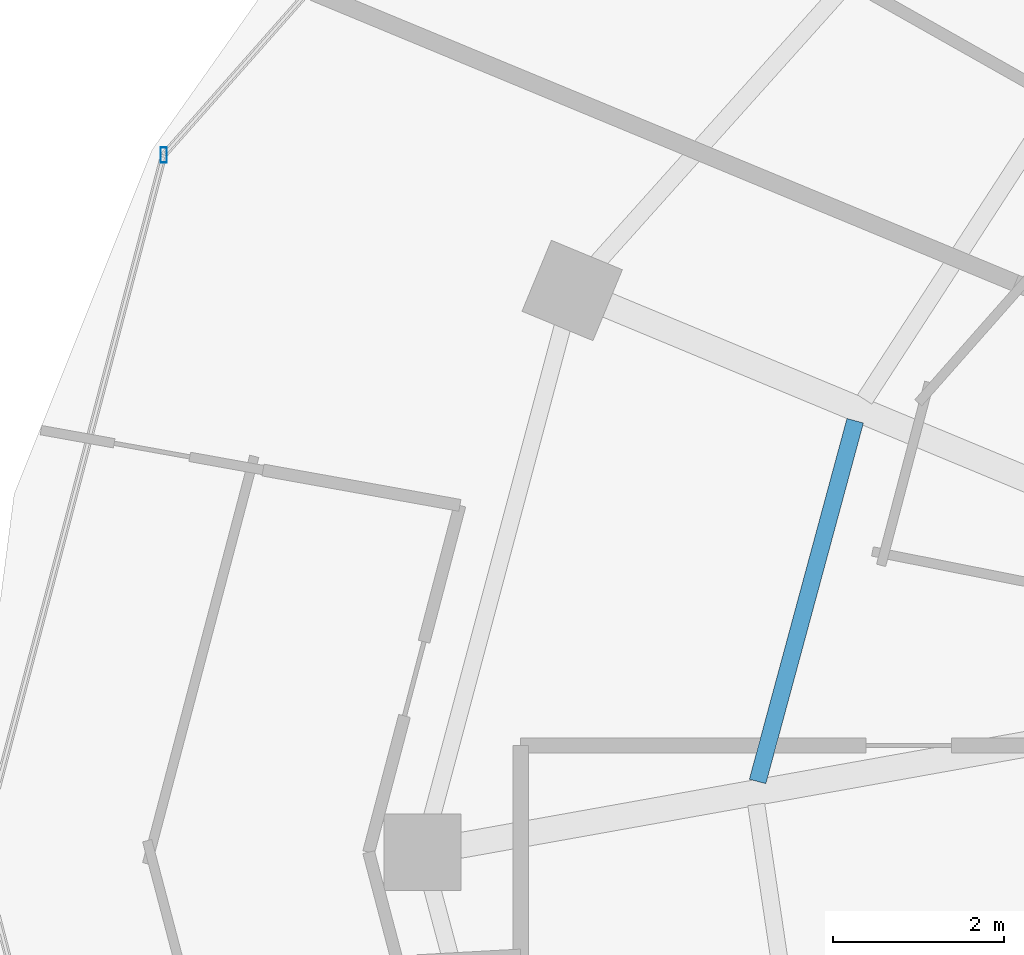
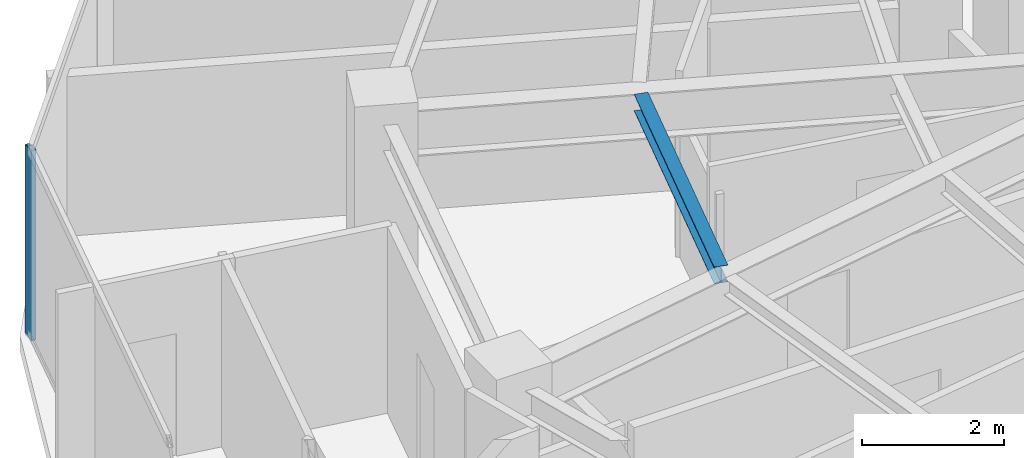
# One storey, part 9 of 33: 1 beam, 1 member, 1 element without a shape of its own.
"""IFC4 building model written with IfcOpenShell, lengths in metres."""

from ifc_helpers import new_model, si_unit, direction, frame, origin, origin_2d, place, context, subcontext, project, spatial, hollow_rectangle, i_section, extrude, material, material_profile, profile_set, type_object, element, aggregate, save


model = new_model("IFC4")

# Units and contexts
model_context = context("Model", 3, precision=1e-05, world=origin(), true_north=direction((0.0, 1.0)))
body_context = subcontext(model_context, "Body", "Model", "MODEL_VIEW")
ifc_project = project(units=[si_unit("LENGTHUNIT", "METRE"), si_unit("AREAUNIT", "SQUARE_METRE"), si_unit("VOLUMEUNIT", "CUBIC_METRE"), si_unit("PLANEANGLEUNIT", "RADIAN"), si_unit("MASSUNIT", "GRAM", prefix="KILO")], contexts=[model_context])

# Site, building, storey
site_placement = place(None, origin())
site = spatial("IfcSite", under=ifc_project, at=site_placement, CompositionType="ELEMENT")
building_placement = place(site_placement, origin())
building = spatial("IfcBuilding", under=site, at=building_placement, Name="Vorneva Point Tower", CompositionType="ELEMENT")
storey_placement = place(building_placement, frame((0.0, 0.0, 221.39990234375)))
storey = spatial("IfcBuildingStorey", under=building, at=storey_placement, Name="L60", CompositionType="ELEMENT", Elevation=221.39990234375)

# Beam
ifc_material_1 = material(Name="Steel S355", Category="steel")
ifc_material_profile_1 = material_profile(ifc_material_1, i_section(OverallWidth=0.199951171875, OverallDepth=0.291015625, WebThickness=0.008056640625, FlangeThickness=0.010986328125, at=origin_2d()), Name="30Sh1")
ifc_profile_set_1 = profile_set([ifc_material_profile_1], Name="Steel S355")
beam_type = type_object("IfcBeamType", Name="BM-SEC-30Sh1", PredefinedType="BEAM", material=ifc_profile_set_1)
beam_placement = place(storey_placement, frame((20.02099609375, 31.055908203125, 3.0546875), z_axis=(-0.26115898647, -0.965295801185, 0.0), x_axis=(0.965295801185, -0.26115898647, 0.0)))
element("IfcBeam", 1, at=beam_placement, inside=storey, type_object=beam_type, Name="L60 Secondary Floor Beam 1.08", PredefinedType="BEAM", context=body_context, shape_type="SweptSolid", body=[
    extrude(i_section(OverallWidth=0.199951171875, OverallDepth=0.291015625, WebThickness=0.008056640625, FlangeThickness=0.010986328125, at=origin_2d()), origin(), (0.0, 0.0, 1.0), 4.378662109375),
])

# Curtain wall, member
ifc_material_2 = material(Name="Pale anodised aluminium", Category="aluminium")
curtain_wall_type = type_object("IfcCurtainWallType", Name="CW-RES-SYS", PredefinedType="NOTDEFINED", material=ifc_material_2)
curtain_wall_placement = place(storey_placement, origin())
curtain_wall = element("IfcCurtainWall", 2, at=curtain_wall_placement, inside=storey, type_object=curtain_wall_type, Name="L60 Unitised Curtain Wall CW-L60-R02", PredefinedType="NOTDEFINED")
ifc_material_profile_2 = material_profile(ifc_material_2, hollow_rectangle(XDim=0.074951171875, YDim=0.179931640625, WallThickness=0.00390625, at=origin_2d()), Name="AL-MUL 180x75x4")
ifc_profile_set_2 = profile_set([ifc_material_profile_2], Name="Pale anodised aluminium")
member_type = type_object("IfcMemberType", Name="CW-MUL-180", PredefinedType="MULLION", material=ifc_profile_set_2)
member_placement = place(storey_placement, frame((11.9189453125, 34.17041015625, -0.039794921875), z_axis=(0.0, 0.0, 1.0), x_axis=(1.0, 0.0, 0.0)))
member = element("IfcMember", 3, at=member_placement, type_object=member_type, Name="CW-L60-R02 Mullion 02", PredefinedType="MULLION", context=body_context, shape_type="SweptSolid", body=[
    extrude(hollow_rectangle(XDim=0.074951171875, YDim=0.179931640625, WallThickness=0.00390625, at=origin_2d()), origin(), (0.0, 0.0, 1.0), 3.269775390625),
])
aggregate(curtain_wall, [member])

save(model, "model.ifc")
